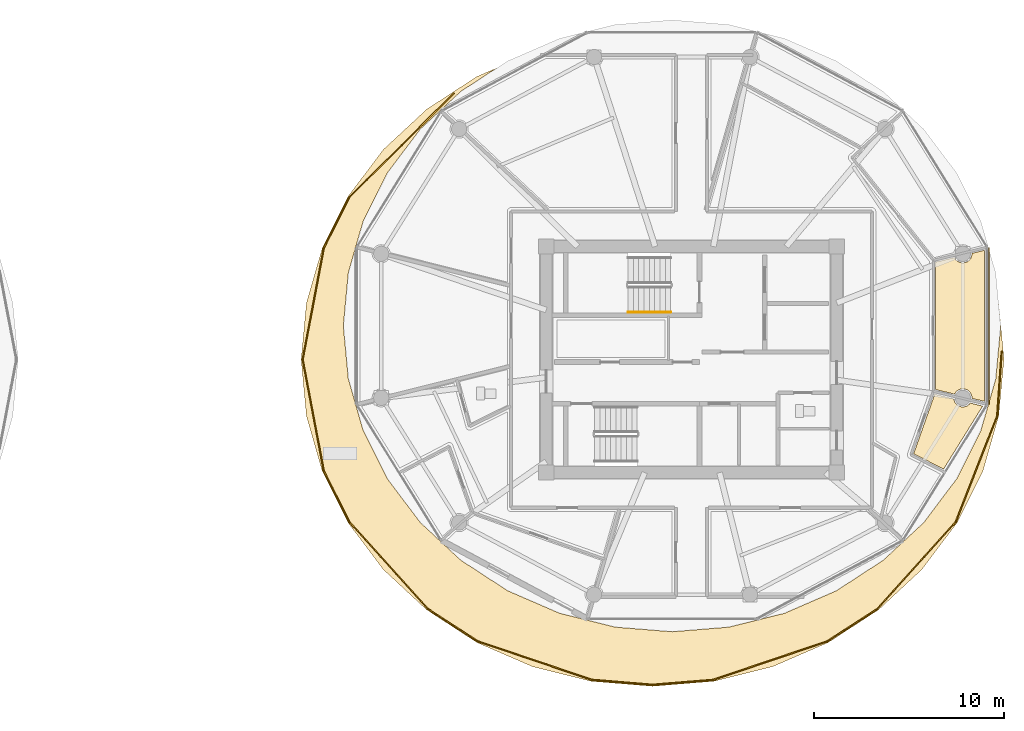
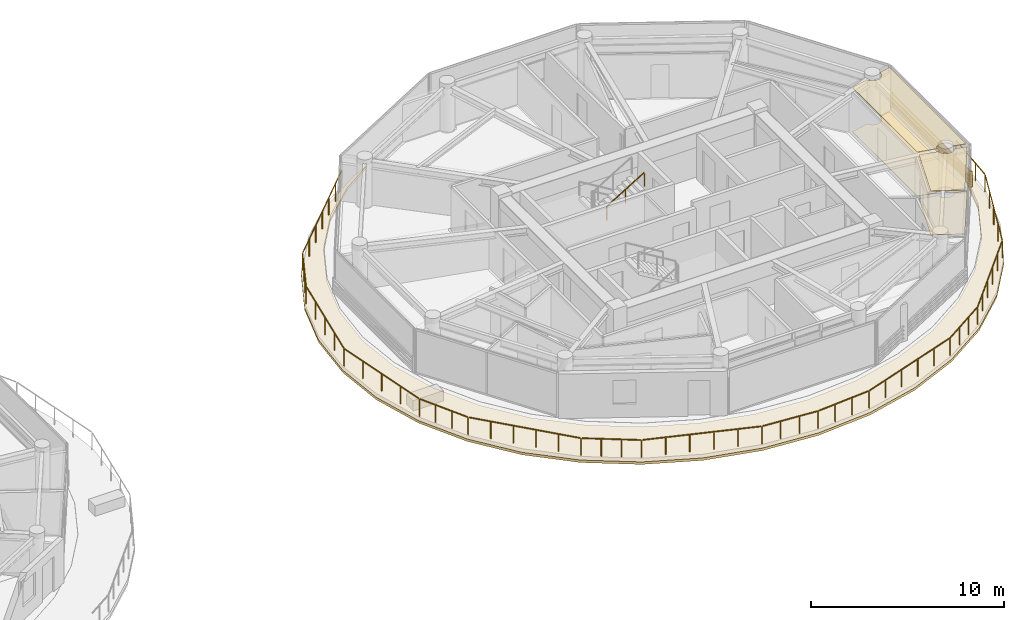
# One storey, part 24 of 28: 5 coverings, 2 railings, 1 shading device.
"""IFC4 building model written with IfcOpenShell, lengths in metres."""

from ifc_helpers import new_model, si_unit, direction, frame, origin, origin_2d, place, context, subcontext, project, spatial, polyline, rectangle, outline, extrude, source, transform, mapped, material, layer, layer_set, type_object, type_shapes, element, save


model = new_model("IFC4")

# Units and contexts
model_context = context("Model", 3, precision=1e-05, world=origin(), true_north=direction((0.0, 1.0)))
body_context = subcontext(model_context, "Body", "Model", "MODEL_VIEW")
ifc_project = project(units=[si_unit("LENGTHUNIT", "METRE"), si_unit("AREAUNIT", "SQUARE_METRE"), si_unit("VOLUMEUNIT", "CUBIC_METRE"), si_unit("PLANEANGLEUNIT", "RADIAN"), si_unit("MASSUNIT", "GRAM", prefix="KILO")], contexts=[model_context])

# Site, building, storey
site_placement = place(None, origin())
site = spatial("IfcSite", under=ifc_project, at=site_placement, CompositionType="ELEMENT")
building_placement = place(site_placement, origin())
building = spatial("IfcBuilding", under=site, at=building_placement, Name="Norrkilde Senior Care Towers", CompositionType="ELEMENT")
storey_placement = place(building_placement, frame((0.0, 0.0, 134.300048828125)))
storey = spatial("IfcBuildingStorey", under=building, at=storey_placement, Name="L41", CompositionType="ELEMENT", Elevation=134.300048828125)

# Coverings
ifc_material_1 = material(Name="Nordic Ash Timber", Category="wood")
ifc_layer_1 = layer(ifc_material_1, 0.044921875)
ifc_layer_set_1 = layer_set([ifc_layer_1], Name="Nordic Ash Timber")
covering_type_1 = type_object("IfcCoveringType", Name="Acoustic Ash Timber Slatted Ceiling 45", PredefinedType="CEILING", material=ifc_layer_set_1)
covering_1_placement = place(storey_placement, frame((0.0, 0.0, 2.764892578125)))
element("IfcCovering", 1, at=covering_1_placement, inside=storey, type_object=covering_type_1, Name="L41 Suspended Ceiling 0300", PredefinedType="CEILING", context=body_context, shape_type="SweptSolid", body=[
    extrude(outline(polyline([(41.812744140625, -2.074951171875), (41.8212890625, -2.140625), (41.869140625, -2.25634765625), (41.945556640625, -2.355712890625), (42.044921875, -2.43212890625), (42.16064453125, -2.47998046875), (42.284912109375, -2.496337890625), (42.4091796875, -2.47998046875), (42.52490234375, -2.43212890625), (42.624267578125, -2.355712890625), (42.673828125, -2.291259765625), (43.324951171875, -2.45458984375), (41.267822265625, -5.76806640625), (39.69482421875, -4.95703125), (40.8037109375, -1.821533203125), (41.812744140625, -2.074951171875)])), origin(), (0.0, 0.0, 1.0), 0.045166015625),
])
covering_2_placement = place(storey_placement, frame((0.0, 0.0, 2.764892578125)))
element("IfcCovering", 2, at=covering_2_placement, inside=storey, type_object=covering_type_1, Name="L41 Suspended Ceiling 0301", PredefinedType="CEILING", context=body_context, shape_type="SweptSolid", body=[
    extrude(outline(polyline([(41.869140625, 5.3271484375), (41.945556640625, 5.2275390625), (42.044921875, 5.1513671875), (42.16064453125, 5.103515625), (42.284912109375, 5.087158203125), (42.4091796875, 5.103515625), (42.52490234375, 5.1513671875), (42.624267578125, 5.2275390625), (42.70068359375, 5.3271484375), (42.74853515625, 5.44287109375), (42.764892578125, 5.567138671875), (42.761474609375, 5.592529296875), (43.410888671875, 5.749755859375), (43.410888671875, -2.19921875), (42.761474609375, -2.041748046875), (42.764892578125, -2.016357421875), (42.74853515625, -1.89208984375), (42.70068359375, -1.7763671875), (42.624267578125, -1.677001953125), (42.52490234375, -1.6005859375), (42.4091796875, -1.552734375), (42.284912109375, -1.536376953125), (42.16064453125, -1.552734375), (42.044921875, -1.6005859375), (41.945556640625, -1.677001953125), (41.869140625, -1.7763671875), (41.8505859375, -1.821044921875), (40.850341796875, -1.57861328125), (40.850341796875, 5.12939453125), (41.8505859375, 5.371826171875), (41.869140625, 5.3271484375)])), origin(), (0.0, 0.0, 1.0), 0.045166015625),
])
ifc_material_2 = material(Name="EPDM Waterproofing and PIR Insulation")
ifc_layer_2 = layer(ifc_material_2, 0.159912109375)
ifc_layer_set_2 = layer_set([ifc_layer_2], Name="EPDM Waterproofing and PIR Insulation")
covering_type_2 = type_object("IfcCoveringType", Name="Insulated EPDM Roof Membrane 160", PredefinedType="ROOFING", material=ifc_layer_set_2)
covering_3_placement = place(storey_placement, frame((0.0, 0.0, -0.39013671875)))
element("IfcCovering", 3, at=covering_3_placement, inside=storey, type_object=covering_type_2, Name="L41 Drum E Crescent Terrace Roof Membrane", PredefinedType="ROOFING", context=body_context, shape_type="SweptSolid", body=[
    extrude(outline(polyline([(44.1689453125, 2.98681640625), (44.449951171875, 0.0), (44.1689453125, -2.98681640625), (43.334228515625, -5.8828125), (41.971435546875, -8.60009765625), (40.121826171875, -11.055908203125), (37.841552734375, -13.176025390625), (35.199951171875, -14.895751953125), (32.27734375, -16.16259765625), (29.16259765625, -16.938720703125), (25.949951171875, -17.199951171875), (22.737548828125, -16.938720703125), (19.62255859375, -16.16259765625), (16.699951171875, -14.895751953125), (14.058349609375, -13.176025390625), (11.778076171875, -11.055908203125), (9.928466796875, -8.60009765625), (8.565673828125, -5.8828125), (7.73095703125, -2.98681640625), (7.449951171875, 0.0), (7.73095703125, 2.98681640625), (8.565673828125, 5.8828125), (9.928466796875, 8.60009765625), (11.778076171875, 11.055908203125), (14.058349609375, 13.176025390625), (16.699951171875, 14.895751953125), (17.755615234375, 15.353271484375), (15.85205078125, 14.11279296875), (15.851806640625, 14.112548828125), (15.851318359375, 14.1123046875), (13.718994140625, 12.1279296875), (13.71875, 12.127685546875), (13.718505859375, 12.127197265625), (11.98876953125, 9.828369140625), (11.988525390625, 9.827880859375), (11.98828125, 9.82763671875), (10.7138671875, 7.2841796875), (10.713623046875, 7.28369140625), (10.713623046875, 7.283203125), (9.93310546875, 4.572509765625), (9.932861328125, 4.572021484375), (9.932861328125, 4.571533203125), (9.669921875, 1.77587890625), (9.669921875, 1.775390625), (9.669921875, 1.77490234375), (9.932861328125, -1.020751953125), (9.932861328125, -1.021240234375), (9.93310546875, -1.021728515625), (10.713623046875, -3.732666015625), (10.713623046875, -3.73291015625), (10.7138671875, -3.7333984375), (11.98828125, -6.27685546875), (11.988525390625, -6.27734375), (11.98876953125, -6.277587890625), (13.718505859375, -8.576416015625), (13.71875, -8.576904296875), (13.718994140625, -8.5771484375), (15.851318359375, -10.5615234375), (15.851806640625, -10.56201171875), (15.85205078125, -10.562255859375), (18.322265625, -12.171875), (18.32275390625, -12.172119140625), (18.322998046875, -12.17236328125), (21.05615234375, -13.3583984375), (21.056396484375, -13.3583984375), (21.056884765625, -13.358642578125), (23.9697265625, -14.0849609375), (23.969970703125, -14.0849609375), (23.970458984375, -14.0849609375), (26.974609375, -14.32958984375), (26.97509765625, -14.32958984375), (26.975341796875, -14.32958984375), (29.9794921875, -14.0849609375), (29.97998046875, -14.0849609375), (29.980224609375, -14.0849609375), (32.89306640625, -13.358642578125), (32.8935546875, -13.3583984375), (32.89404296875, -13.3583984375), (35.626953125, -12.17236328125), (35.62744140625, -12.172119140625), (35.627685546875, -12.171875), (38.097900390625, -10.562255859375), (38.098388671875, -10.56201171875), (38.0986328125, -10.5615234375), (40.23095703125, -8.5771484375), (40.231201171875, -8.576904296875), (40.2314453125, -8.576416015625), (41.961181640625, -6.277587890625), (41.96142578125, -6.27734375), (41.961669921875, -6.27685546875), (43.236083984375, -3.7333984375), (43.236328125, -3.73291015625), (43.236572265625, -3.732666015625), (44.01708984375, -1.021728515625), (44.01708984375, -1.021240234375), (44.01708984375, -1.020751953125), (44.280029296875, 1.77490234375), (44.280029296875, 1.775390625), (44.280029296875, 1.77587890625), (44.164794921875, 3.001220703125), (44.1689453125, 2.98681640625)])), origin(), (0.0, 0.0, 1.0), 0.16015625),
])
ifc_material_3 = material(Name="Slip-Resistant Porcelain Stone", Category="masonry")
ifc_layer_3 = layer(ifc_material_3, 0.02490234375)
ifc_layer_set_3 = layer_set([ifc_layer_3], Name="Slip-Resistant Porcelain Stone")
covering_type_3 = type_object("IfcCoveringType", Name="Slip-Resistant Porcelain Flooring 25", PredefinedType="FLOORING", material=ifc_layer_set_3)
covering_4_placement = place(storey_placement, origin())
element("IfcCovering", 4, at=covering_4_placement, inside=storey, type_object=covering_type_3, Name="L41 Floor Finish 0300", PredefinedType="FLOORING", context=body_context, shape_type="SweptSolid", body=[
    extrude(outline(polyline([(41.812744140625, -2.074951171875), (41.8212890625, -2.140625), (41.869140625, -2.25634765625), (41.945556640625, -2.355712890625), (42.044921875, -2.43212890625), (42.16064453125, -2.47998046875), (42.284912109375, -2.496337890625), (42.4091796875, -2.47998046875), (42.52490234375, -2.43212890625), (42.624267578125, -2.355712890625), (42.673828125, -2.291259765625), (43.324951171875, -2.45458984375), (41.267822265625, -5.76806640625), (39.69482421875, -4.95703125), (40.8037109375, -1.821533203125), (41.812744140625, -2.074951171875)])), origin(), (0.0, 0.0, 1.0), 0.02490234375),
])
covering_5_placement = place(storey_placement, origin())
element("IfcCovering", 5, at=covering_5_placement, inside=storey, type_object=covering_type_3, Name="L41 Floor Finish 0301", PredefinedType="FLOORING", context=body_context, shape_type="SweptSolid", body=[
    extrude(outline(polyline([(41.869140625, 5.3271484375), (41.945556640625, 5.2275390625), (42.044921875, 5.1513671875), (42.16064453125, 5.103515625), (42.284912109375, 5.087158203125), (42.4091796875, 5.103515625), (42.52490234375, 5.1513671875), (42.624267578125, 5.2275390625), (42.70068359375, 5.3271484375), (42.74853515625, 5.44287109375), (42.764892578125, 5.567138671875), (42.761474609375, 5.592529296875), (43.410888671875, 5.749755859375), (43.410888671875, -2.19921875), (42.761474609375, -2.041748046875), (42.764892578125, -2.016357421875), (42.74853515625, -1.89208984375), (42.70068359375, -1.7763671875), (42.624267578125, -1.677001953125), (42.52490234375, -1.6005859375), (42.4091796875, -1.552734375), (42.284912109375, -1.536376953125), (42.16064453125, -1.552734375), (42.044921875, -1.6005859375), (41.945556640625, -1.677001953125), (41.869140625, -1.7763671875), (41.8505859375, -1.821044921875), (40.850341796875, -1.57861328125), (40.850341796875, 5.12939453125), (41.8505859375, 5.371826171875), (41.869140625, 5.3271484375)])), origin(), (0.0, 0.0, 1.0), 0.02490234375),
])

# Railings
ifc_material_4 = material(Name="Stainless Steel", Category="steel")
railing_type_1 = type_object("IfcRailingType", Name="Stair and Terrace Guardrail 1100", PredefinedType="GUARDRAIL", material=ifc_material_4)
railing_1_placement = place(storey_placement, frame((44.329345703125, 0.42919921875, 0.0)))
element("IfcRailing", 6, at=railing_1_placement, inside=storey, type_object=railing_type_1, Name="L41 Perimeter Safety Guard 01", PredefinedType="GUARDRAIL", context=body_context, shape_type="SweptSolid", body=[
    extrude(rectangle(XDim=0.048095703125, YDim=0.048095703125, at=origin_2d()), frame((0.0, 0.0, 1.09619140625), z_axis=(-0.070178303957, -0.997534463391, 0.0), x_axis=(0.997534463391, -0.070178303957, 0.0)), (0.0, 0.0, 1.0), 3.368408203125),
    extrude(rectangle(XDim=0.048095703125, YDim=0.048095703125, at=origin_2d()), frame((-0.254150390625, -3.43896484375, 1.09619140625), z_axis=(-0.364538988008, -0.931188126117, 0.0), x_axis=(0.931188126117, -0.364538988008, 0.0)), (0.0, 0.0, 1.0), 5.9169921875),
    extrude(rectangle(XDim=0.048095703125, YDim=0.048095703125, at=origin_2d()), frame((-2.453369140625, -9.01708984375, 1.09619140625), z_axis=(-0.669992867661, -0.742367535176, 0.0), x_axis=(0.742367535176, -0.669992867661, 0.0)), (0.0, 0.0, 1.0), 6.05419921875),
    extrude(rectangle(XDim=0.048095703125, YDim=0.048095703125, at=origin_2d()), frame((-6.5712890625, -13.564208984375, 1.09619140625), z_axis=(-0.838068396137, -0.545565177955, 0.0), x_axis=(0.545565177955, -0.838068396137, 0.0)), (0.0, 0.0, 1.0), 3.056640625),
    extrude(rectangle(XDim=0.048095703125, YDim=0.048095703125, at=origin_2d()), frame((-9.2060546875, -15.267333984375, 1.09619140625), z_axis=(-0.947246692497, -0.320505387712, 0.0), x_axis=(0.320505387712, -0.947246692497, 0.0)), (0.0, 0.0, 1.0), 6.265869140625),
    extrude(rectangle(XDim=0.048095703125, YDim=0.048095703125, at=origin_2d()), frame((-15.220703125, -17.2919921875, 1.09619140625), z_axis=(-0.996707985952, -0.08107521656, 0.0), x_axis=(0.08107521656, -0.996707985952, 0.0)), (0.0, 0.0, 1.0), 3.128173828125),
    extrude(rectangle(XDim=0.048095703125, YDim=0.048095703125, at=origin_2d()), frame((-18.420166015625, -17.54541015625, 1.09619140625), z_axis=(-0.996707985952, 0.08107521656, 0.0), x_axis=(-0.08107521656, -0.996707985952, 0.0)), (0.0, 0.0, 1.0), 3.128173828125),
    extrude(rectangle(XDim=0.048095703125, YDim=0.048095703125, at=origin_2d()), frame((-21.61767578125, -17.275390625, 1.09619140625), z_axis=(-0.947242741303, 0.320517065143, 0.0), x_axis=(-0.320517065143, -0.947242741303, 0.0)), (0.0, 0.0, 1.0), 6.265625),
    extrude(rectangle(XDim=0.048095703125, YDim=0.048095703125, at=origin_2d()), frame((-27.62548828125, -15.23193359375, 1.09619140625), z_axis=(-0.838068396137, 0.545565177955, 0.0), x_axis=(-0.545565177955, -0.838068396137, 0.0)), (0.0, 0.0, 1.0), 3.056640625),
    extrude(rectangle(XDim=0.048095703125, YDim=0.048095703125, at=origin_2d()), frame((-30.248779296875, -13.51171875, 1.09619140625), z_axis=(-0.669992867661, 0.742367535176, 0.0), x_axis=(-0.742367535176, -0.669992867661, 0.0)), (0.0, 0.0, 1.0), 6.05419921875),
    extrude(rectangle(XDim=0.048095703125, YDim=0.048095703125, at=origin_2d()), frame((-34.350830078125, -8.9501953125, 1.09619140625), z_axis=(-0.448310833462, 0.89387773023, 0.0), x_axis=(-0.89387773023, -0.448310833462, 0.0)), (0.0, 0.0, 1.0), 2.943359375),
    extrude(rectangle(XDim=0.048095703125, YDim=0.048095703125, at=origin_2d()), frame((-35.6962890625, -6.242431640625, 1.09619140625), z_axis=(-0.186366386151, 0.982480315382, 0.0), x_axis=(-0.982480315382, -0.186366386151, 0.0)), (0.0, 0.0, 1.0), 5.876220703125),
    extrude(rectangle(XDim=0.048095703125, YDim=0.048095703125, at=origin_2d()), frame((-36.79150390625, -0.388916015625, 1.09619140625), z_axis=(0.186366386151, 0.982480315382, 0.0), x_axis=(-0.982480315382, 0.186366386151, 0.0)), (0.0, 0.0, 1.0), 5.876220703125),
    extrude(rectangle(XDim=0.048095703125, YDim=0.048095703125, at=origin_2d()), frame((-35.67041015625, 5.4609375, 1.09619140625), z_axis=(0.448310833462, 0.89387773023, 0.0), x_axis=(-0.89387773023, 0.448310833462, 0.0)), (0.0, 0.0, 1.0), 2.943359375),
    extrude(rectangle(XDim=0.048095703125, YDim=0.048095703125, at=origin_2d()), frame((-34.303466796875, 8.1572265625, 1.09619140625), z_axis=(0.709376971751, 0.704829278584, 0.0), x_axis=(-0.704829278584, 0.709376971751, 0.0)), (0.0, 0.0, 1.0), 7.689697265625),
    extrude(rectangle(XDim=0.0419921875, YDim=0.0419921875, at=origin_2d()), origin(), (0.0, 0.0, 1.0), 1.070068359375),
    extrude(rectangle(XDim=0.0419921875, YDim=0.0419921875, at=origin_2d()), frame((-0.079833984375, -1.133544921875, 0.0)), (0.0, 0.0, 1.0), 1.070068359375),
    extrude(rectangle(XDim=0.0419921875, YDim=0.0419921875, at=origin_2d()), frame((-0.159423828125, -2.267333984375, 0.0)), (0.0, 0.0, 1.0), 1.070068359375),
    extrude(rectangle(XDim=0.0419921875, YDim=0.0419921875, at=origin_2d()), frame((-0.2392578125, -3.40087890625, 0.0)), (0.0, 0.0, 1.0), 1.070068359375),
    extrude(rectangle(XDim=0.0419921875, YDim=0.0419921875, at=origin_2d()), frame((-0.785888671875, -4.79736328125, 0.0)), (0.0, 0.0, 1.0), 1.070068359375),
    extrude(rectangle(XDim=0.0419921875, YDim=0.0419921875, at=origin_2d()), frame((-1.33251953125, -6.19384765625, 0.0)), (0.0, 0.0, 1.0), 1.070068359375),
    extrude(rectangle(XDim=0.0419921875, YDim=0.0419921875, at=origin_2d()), frame((-1.87939453125, -7.59033203125, 0.0)), (0.0, 0.0, 1.0), 1.070068359375),
    extrude(rectangle(XDim=0.0419921875, YDim=0.0419921875, at=origin_2d()), frame((-2.426025390625, -8.98681640625, 0.0)), (0.0, 0.0, 1.0), 1.070068359375),
    extrude(rectangle(XDim=0.0419921875, YDim=0.0419921875, at=origin_2d()), frame((-3.248291015625, -9.89794921875, 0.0)), (0.0, 0.0, 1.0), 1.070068359375),
    extrude(rectangle(XDim=0.0419921875, YDim=0.0419921875, at=origin_2d()), frame((-4.070556640625, -10.808837890625, 0.0)), (0.0, 0.0, 1.0), 1.070068359375),
    extrude(rectangle(XDim=0.0419921875, YDim=0.0419921875, at=origin_2d()), frame((-4.892578125, -11.719970703125, 0.0)), (0.0, 0.0, 1.0), 1.070068359375),
    extrude(rectangle(XDim=0.0419921875, YDim=0.0419921875, at=origin_2d()), frame((-5.71484375, -12.630859375, 0.0)), (0.0, 0.0, 1.0), 1.070068359375),
    extrude(rectangle(XDim=0.0419921875, YDim=0.0419921875, at=origin_2d()), frame((-6.537109375, -13.5419921875, 0.0)), (0.0, 0.0, 1.0), 1.070068359375),
    extrude(rectangle(XDim=0.0419921875, YDim=0.0419921875, at=origin_2d()), frame((-7.413818359375, -14.11279296875, 0.0)), (0.0, 0.0, 1.0), 1.070068359375),
    extrude(rectangle(XDim=0.0419921875, YDim=0.0419921875, at=origin_2d()), frame((-8.29052734375, -14.683349609375, 0.0)), (0.0, 0.0, 1.0), 1.070068359375),
    extrude(rectangle(XDim=0.0419921875, YDim=0.0419921875, at=origin_2d()), frame((-9.167236328125, -15.254150390625, 0.0)), (0.0, 0.0, 1.0), 1.070068359375),
    extrude(rectangle(XDim=0.0419921875, YDim=0.0419921875, at=origin_2d()), frame((-10.369873046875, -15.6611328125, 0.0)), (0.0, 0.0, 1.0), 1.070068359375),
    extrude(rectangle(XDim=0.0419921875, YDim=0.0419921875, at=origin_2d()), frame((-11.572265625, -16.06787109375, 0.0)), (0.0, 0.0, 1.0), 1.070068359375),
    extrude(rectangle(XDim=0.0419921875, YDim=0.0419921875, at=origin_2d()), frame((-12.77490234375, -16.474853515625, 0.0)), (0.0, 0.0, 1.0), 1.070068359375),
    extrude(rectangle(XDim=0.0419921875, YDim=0.0419921875, at=origin_2d()), frame((-13.977294921875, -16.881591796875, 0.0)), (0.0, 0.0, 1.0), 1.070068359375),
    extrude(rectangle(XDim=0.0419921875, YDim=0.0419921875, at=origin_2d()), frame((-15.179931640625, -17.28857421875, 0.0)), (0.0, 0.0, 1.0), 1.070068359375),
    extrude(rectangle(XDim=0.0419921875, YDim=0.0419921875, at=origin_2d()), frame((-16.246337890625, -17.375244140625, 0.0)), (0.0, 0.0, 1.0), 1.070068359375),
    extrude(rectangle(XDim=0.0419921875, YDim=0.0419921875, at=origin_2d()), frame((-17.31298828125, -17.462158203125, 0.0)), (0.0, 0.0, 1.0), 1.070068359375),
    extrude(rectangle(XDim=0.0419921875, YDim=0.0419921875, at=origin_2d()), frame((-18.37939453125, -17.548828125, 0.0)), (0.0, 0.0, 1.0), 1.070068359375),
    extrude(rectangle(XDim=0.0419921875, YDim=0.0419921875, at=origin_2d()), frame((-19.44580078125, -17.462158203125, 0.0)), (0.0, 0.0, 1.0), 1.070068359375),
    extrude(rectangle(XDim=0.0419921875, YDim=0.0419921875, at=origin_2d()), frame((-20.512451171875, -17.375244140625, 0.0)), (0.0, 0.0, 1.0), 1.070068359375),
    extrude(rectangle(XDim=0.0419921875, YDim=0.0419921875, at=origin_2d()), frame((-21.578857421875, -17.28857421875, 0.0)), (0.0, 0.0, 1.0), 1.070068359375),
    extrude(rectangle(XDim=0.0419921875, YDim=0.0419921875, at=origin_2d()), frame((-22.78125, -16.881591796875, 0.0)), (0.0, 0.0, 1.0), 1.070068359375),
    extrude(rectangle(XDim=0.0419921875, YDim=0.0419921875, at=origin_2d()), frame((-23.98388671875, -16.474853515625, 0.0)), (0.0, 0.0, 1.0), 1.070068359375),
    extrude(rectangle(XDim=0.0419921875, YDim=0.0419921875, at=origin_2d()), frame((-25.186279296875, -16.06787109375, 0.0)), (0.0, 0.0, 1.0), 1.070068359375),
    extrude(rectangle(XDim=0.0419921875, YDim=0.0419921875, at=origin_2d()), frame((-26.388916015625, -15.6611328125, 0.0)), (0.0, 0.0, 1.0), 1.070068359375),
    extrude(rectangle(XDim=0.0419921875, YDim=0.0419921875, at=origin_2d()), frame((-27.59130859375, -15.254150390625, 0.0)), (0.0, 0.0, 1.0), 1.070068359375),
    extrude(rectangle(XDim=0.0419921875, YDim=0.0419921875, at=origin_2d()), frame((-28.468017578125, -14.683349609375, 0.0)), (0.0, 0.0, 1.0), 1.070068359375),
    extrude(rectangle(XDim=0.0419921875, YDim=0.0419921875, at=origin_2d()), frame((-29.3447265625, -14.11279296875, 0.0)), (0.0, 0.0, 1.0), 1.070068359375),
    extrude(rectangle(XDim=0.0419921875, YDim=0.0419921875, at=origin_2d()), frame((-30.221435546875, -13.5419921875, 0.0)), (0.0, 0.0, 1.0), 1.070068359375),
    extrude(rectangle(XDim=0.0419921875, YDim=0.0419921875, at=origin_2d()), frame((-31.043701171875, -12.630859375, 0.0)), (0.0, 0.0, 1.0), 1.070068359375),
    extrude(rectangle(XDim=0.0419921875, YDim=0.0419921875, at=origin_2d()), frame((-31.865966796875, -11.719970703125, 0.0)), (0.0, 0.0, 1.0), 1.070068359375),
    extrude(rectangle(XDim=0.0419921875, YDim=0.0419921875, at=origin_2d()), frame((-32.68798828125, -10.808837890625, 0.0)), (0.0, 0.0, 1.0), 1.070068359375),
    extrude(rectangle(XDim=0.0419921875, YDim=0.0419921875, at=origin_2d()), frame((-33.51025390625, -9.89794921875, 0.0)), (0.0, 0.0, 1.0), 1.070068359375),
    extrude(rectangle(XDim=0.0419921875, YDim=0.0419921875, at=origin_2d()), frame((-34.33251953125, -8.98681640625, 0.0)), (0.0, 0.0, 1.0), 1.070068359375),
    extrude(rectangle(XDim=0.0419921875, YDim=0.0419921875, at=origin_2d()), frame((-34.78466796875, -8.08544921875, 0.0)), (0.0, 0.0, 1.0), 1.070068359375),
    extrude(rectangle(XDim=0.0419921875, YDim=0.0419921875, at=origin_2d()), frame((-35.236572265625, -7.18408203125, 0.0)), (0.0, 0.0, 1.0), 1.070068359375),
    extrude(rectangle(XDim=0.0419921875, YDim=0.0419921875, at=origin_2d()), frame((-35.688720703125, -6.28271484375, 0.0)), (0.0, 0.0, 1.0), 1.070068359375),
    extrude(rectangle(XDim=0.0419921875, YDim=0.0419921875, at=origin_2d()), frame((-35.96630859375, -4.8193359375, 0.0)), (0.0, 0.0, 1.0), 1.070068359375),
    extrude(rectangle(XDim=0.0419921875, YDim=0.0419921875, at=origin_2d()), frame((-36.243896484375, -3.35595703125, 0.0)), (0.0, 0.0, 1.0), 1.070068359375),
    extrude(rectangle(XDim=0.0419921875, YDim=0.0419921875, at=origin_2d()), frame((-36.521484375, -1.892578125, 0.0)), (0.0, 0.0, 1.0), 1.070068359375),
    extrude(rectangle(XDim=0.0419921875, YDim=0.0419921875, at=origin_2d()), frame((-36.799072265625, -0.42919921875, 0.0)), (0.0, 0.0, 1.0), 1.070068359375),
    extrude(rectangle(XDim=0.0419921875, YDim=0.0419921875, at=origin_2d()), frame((-36.521484375, 1.0341796875, 0.0)), (0.0, 0.0, 1.0), 1.070068359375),
    extrude(rectangle(XDim=0.0419921875, YDim=0.0419921875, at=origin_2d()), frame((-36.243896484375, 2.49755859375, 0.0)), (0.0, 0.0, 1.0), 1.070068359375),
    extrude(rectangle(XDim=0.0419921875, YDim=0.0419921875, at=origin_2d()), frame((-35.96630859375, 3.9609375, 0.0)), (0.0, 0.0, 1.0), 1.070068359375),
    extrude(rectangle(XDim=0.0419921875, YDim=0.0419921875, at=origin_2d()), frame((-35.688720703125, 5.42431640625, 0.0)), (0.0, 0.0, 1.0), 1.070068359375),
    extrude(rectangle(XDim=0.0419921875, YDim=0.0419921875, at=origin_2d()), frame((-35.236572265625, 6.32568359375, 0.0)), (0.0, 0.0, 1.0), 1.070068359375),
    extrude(rectangle(XDim=0.0419921875, YDim=0.0419921875, at=origin_2d()), frame((-34.78466796875, 7.22705078125, 0.0)), (0.0, 0.0, 1.0), 1.070068359375),
    extrude(rectangle(XDim=0.0419921875, YDim=0.0419921875, at=origin_2d()), frame((-34.33251953125, 8.12841796875, 0.0)), (0.0, 0.0, 1.0), 1.070068359375),
    extrude(rectangle(XDim=0.0419921875, YDim=0.0419921875, at=origin_2d()), frame((-33.41845703125, 9.03662109375, 0.0)), (0.0, 0.0, 1.0), 1.070068359375),
    extrude(rectangle(XDim=0.0419921875, YDim=0.0419921875, at=origin_2d()), frame((-32.504638671875, 9.944580078125, 0.0)), (0.0, 0.0, 1.0), 1.070068359375),
    extrude(rectangle(XDim=0.0419921875, YDim=0.0419921875, at=origin_2d()), frame((-31.590576171875, 10.852783203125, 0.0)), (0.0, 0.0, 1.0), 1.070068359375),
    extrude(rectangle(XDim=0.0419921875, YDim=0.0419921875, at=origin_2d()), frame((-30.676513671875, 11.760986328125, 0.0)), (0.0, 0.0, 1.0), 1.070068359375),
    extrude(rectangle(XDim=0.0419921875, YDim=0.0419921875, at=origin_2d()), frame((-29.7626953125, 12.6689453125, 0.0)), (0.0, 0.0, 1.0), 1.070068359375),
    extrude(rectangle(XDim=0.0419921875, YDim=0.0419921875, at=origin_2d()), frame((-28.8486328125, 13.5771484375, 0.0)), (0.0, 0.0, 1.0), 1.070068359375),
])
railing_type_2 = type_object("IfcRailingType", Name="Wall and Stair Handrail 900", PredefinedType="HANDRAIL", material=ifc_material_1)
railing_2_placement = place(storey_placement, frame((24.659912109375, 2.5, 1.6943359375)))
element("IfcRailing", 7, at=railing_2_placement, inside=storey, type_object=railing_type_2, Name="L41 ST-E1 stair handrail 2", PredefinedType="HANDRAIL", context=body_context, shape_type="SweptSolid", body=[
    extrude(rectangle(XDim=0.048095703125, YDim=0.048095703125, at=origin_2d()), frame((0.0, 0.0, 0.8759765625), z_axis=(0.855512035549, 0.0, 0.517782924622), x_axis=(0.0, 1.0, 0.0)), (0.0, 0.0, 1.0), 2.618408203125),
    extrude(rectangle(XDim=0.0419921875, YDim=0.0419921875, at=origin_2d()), origin(), (0.0, 0.0, 1.0), 0.849853515625),
    extrude(rectangle(XDim=0.0419921875, YDim=0.0419921875, at=origin_2d()), frame((1.1201171875, 0.0, 0.677734375)), (0.0, 0.0, 1.0), 0.849853515625),
    extrude(rectangle(XDim=0.0419921875, YDim=0.0419921875, at=origin_2d()), frame((2.239990234375, 0.0, 1.355712890625)), (0.0, 0.0, 1.0), 0.849853515625),
])

# Shading device
ifc_material_5 = material(Name="Architectural Terracotta", Category="masonry")
shading_device_type = type_object("IfcShadingDeviceType", Name="Horizontal Terracotta Baguette Rack", PredefinedType="USERDEFINED", material=ifc_material_5)
shared_shape = source(origin(), body_context, "Body", "SweptSolid", [
    extrude(rectangle(XDim=0.070068359375, YDim=0.110107421875, at=origin_2d()), frame((0.0, 0.090087890625, 0.125), z_axis=(1.0, 0.0, 0.0), x_axis=(0.0, 1.0, 0.0)), (0.0, 0.0, 1.0), 8.27197265625),
    extrude(rectangle(XDim=0.070068359375, YDim=0.110107421875, at=origin_2d()), frame((0.0, 0.090087890625, 0.375), z_axis=(1.0, 0.0, 0.0), x_axis=(0.0, 1.0, 0.0)), (0.0, 0.0, 1.0), 8.27197265625),
    extrude(rectangle(XDim=0.070068359375, YDim=0.110107421875, at=origin_2d()), frame((0.0, 0.090087890625, 0.625), z_axis=(1.0, 0.0, 0.0), x_axis=(0.0, 1.0, 0.0)), (0.0, 0.0, 1.0), 8.27197265625),
    extrude(rectangle(XDim=0.070068359375, YDim=0.110107421875, at=origin_2d()), frame((0.0, 0.090087890625, 0.875), z_axis=(1.0, 0.0, 0.0), x_axis=(0.0, 1.0, 0.0)), (0.0, 0.0, 1.0), 8.27197265625),
    extrude(rectangle(XDim=0.050048828125, YDim=0.1552734375, at=origin_2d()), frame((0.02490234375, 0.047607421875, 0.0)), (0.0, 0.0, 1.0), 1.0),
    extrude(rectangle(XDim=0.050048828125, YDim=0.1552734375, at=origin_2d()), frame((8.2470703125, 0.047607421875, 0.0)), (0.0, 0.0, 1.0), 1.0),
])
type_shapes(shading_device_type, [shared_shape])
shading_device_placement = place(storey_placement, frame((43.569580078125, 5.911376953125, 0.079833984375), z_axis=(0.0, 0.0, 1.0), x_axis=(0.0, -1.0, 0.0)))
element("IfcShadingDevice", 8, at=shading_device_placement, inside=storey, type_object=shading_device_type, Name="L41 Drum E Terracotta Baguette Screen 11", ObjectType="BAGUETTE", PredefinedType="USERDEFINED", context=body_context, shape_type="MappedRepresentation", body=[
    mapped(shared_shape, transform((0.0, 0.0, 0.0), x_axis=(1.0, 0.0, 0.0), y_axis=(0.0, 1.0, 0.0), z_axis=(0.0, 0.0, 1.0), scale=1.0)),
])

save(model, "model.ifc")
